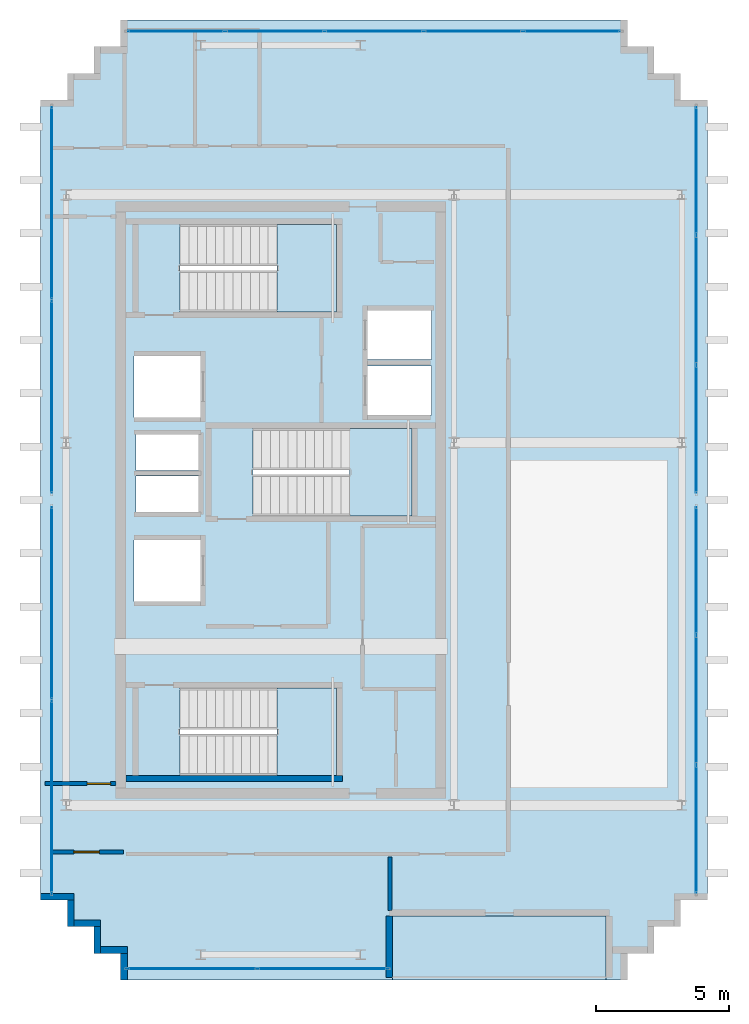
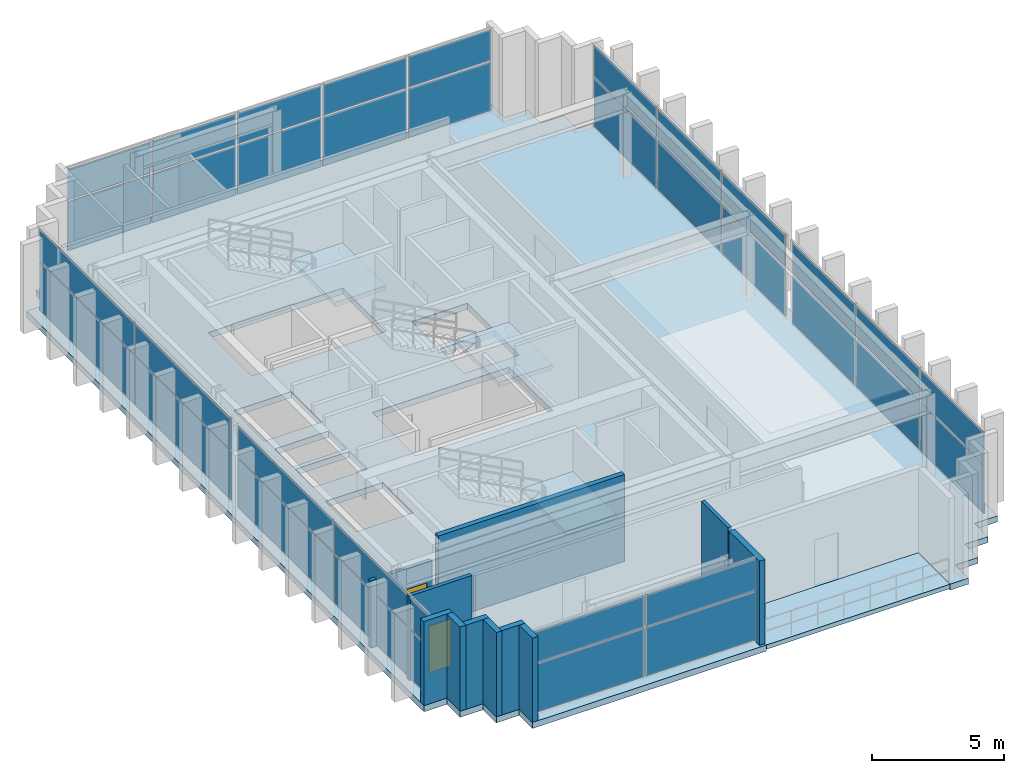
# One storey, part 10 of 15: 34 plates, 11 walls, 5 slabs, 2 doors, 2 openings, 9 elements without a shape of their own.
"""IFC4 building model written with IfcOpenShell, lengths in metres."""

from ifc_helpers import new_model, si_unit, direction, frame, frame_2d, origin, origin_2d, place, context, subcontext, project, spatial, polyline, rectangle, outline, extrude, source, transform, mapped, material, layer, layer_set, type_object, element, fill, aggregate, save


model = new_model("IFC4")

# Units and contexts
model_context = context("Model", 3, precision=1e-05, world=origin(), true_north=direction((0.0, 1.0)))
body_context = subcontext(model_context, "Body", "Model", "MODEL_VIEW")
ifc_project = project(units=[si_unit("LENGTHUNIT", "METRE"), si_unit("AREAUNIT", "SQUARE_METRE"), si_unit("VOLUMEUNIT", "CUBIC_METRE"), si_unit("PLANEANGLEUNIT", "RADIAN"), si_unit("MASSUNIT", "GRAM", prefix="KILO")], contexts=[model_context])

# Site, building, storey
site_placement = place(None, origin())
site = spatial("IfcSite", under=ifc_project, at=site_placement, CompositionType="ELEMENT")
building_placement = place(site_placement, origin())
building = spatial("IfcBuilding", under=site, at=building_placement, Name="Ocotamira Hotel", CompositionType="ELEMENT")
storey_placement = place(building_placement, frame((0.0, 0.0, 305.39990234375)))
storey = spatial("IfcBuildingStorey", under=building, at=storey_placement, Name="L78", CompositionType="ELEMENT", Elevation=305.39990234375)

# Slab
ifc_material_1 = material(Name="Concrete C40/50", Category="concrete")
ifc_layer_1 = layer(ifc_material_1, 0.199951171875)
ifc_layer_set_1 = layer_set([ifc_layer_1], Name="Concrete C40/50")
slab_type_1 = type_object("IfcSlabType", Name="SLB-BAL-200", PredefinedType="FLOOR", material=ifc_layer_set_1)
slab_1_placement = place(storey_placement, frame((0.0, 0.0, -0.199951171875)))
element("IfcSlab", 1, at=slab_1_placement, inside=storey, type_object=slab_type_1, Name="L78 Outdoor Sky Terrace Slab 1", PredefinedType="FLOOR", context=body_context, shape_type="SweptSolid", body=[
    extrude(outline(polyline([(21.199951171875, 8.0), (29.199951171875, 8.0), (29.199951171875, 10.39990234375), (21.199951171875, 10.39990234375), (21.199951171875, 8.0)])), origin(), (0.0, 0.0, 1.0), 0.199951171875),
])

# Stair, slab
stair_type = type_object("IfcStairType", Name="ST-CORE-1560", PredefinedType="HALF_TURN_STAIR", material=ifc_material_1)
stair_1_placement = place(storey_placement, origin())
stair_1 = element("IfcStair", 2, at=stair_1_placement, inside=storey, type_object=stair_type, Name="L78 Exit Stair ST-1", PredefinedType="HALF_TURN_STAIR")
ifc_layer_2 = layer(ifc_material_1, 0.199951171875)
ifc_layer_set_2 = layer_set([ifc_layer_2], Name="Concrete C40/50")
slab_type_2 = type_object("IfcSlabType", Name="SLB-LAND-200", PredefinedType="LANDING", material=ifc_layer_set_2)
slab_2_placement = place(storey_placement, frame((0.0, 0.0, 1.900146484375)))
slab_2 = element("IfcSlab", 3, at=slab_2_placement, type_object=slab_type_2, Name="ST-1 landing 1", PredefinedType="LANDING", context=body_context, shape_type="SweptSolid", body=[
    extrude(outline(polyline([(16.860107421875, 15.669921875), (19.090087890625, 15.669921875), (19.090087890625, 18.949951171875), (16.860107421875, 18.949951171875), (16.860107421875, 15.669921875)])), origin(), (0.0, 0.0, 1.0), 0.199951171875),
])
aggregate(stair_1, [slab_2])

stair_2_placement = place(storey_placement, origin())
stair_2 = element("IfcStair", 4, at=stair_2_placement, inside=storey, type_object=stair_type, Name="L78 Exit Stair ST-2", PredefinedType="HALF_TURN_STAIR")
slab_3_placement = place(storey_placement, frame((0.0, 0.0, 1.900146484375)))
slab_3 = element("IfcSlab", 5, at=slab_3_placement, type_object=slab_type_2, Name="ST-2 landing 1", PredefinedType="LANDING", context=body_context, shape_type="SweptSolid", body=[
    extrude(outline(polyline([(16.860107421875, 33.050048828125), (19.090087890625, 33.050048828125), (19.090087890625, 36.330078125), (16.860107421875, 36.330078125), (16.860107421875, 33.050048828125)])), origin(), (0.0, 0.0, 1.0), 0.199951171875),
])
aggregate(stair_2, [slab_3])

stair_3_placement = place(storey_placement, origin())
stair_3 = element("IfcStair", 6, at=stair_3_placement, inside=storey, type_object=stair_type, Name="L78 Exit Stair ST-3", PredefinedType="HALF_TURN_STAIR")
slab_4_placement = place(storey_placement, frame((0.0, 0.0, 1.900146484375)))
slab_4 = element("IfcSlab", 7, at=slab_4_placement, type_object=slab_type_2, Name="ST-3 landing 1", PredefinedType="LANDING", context=body_context, shape_type="SweptSolid", body=[
    extrude(outline(polyline([(19.590087890625, 25.39990234375), (21.919921875, 25.39990234375), (21.919921875, 28.679931640625), (19.590087890625, 28.679931640625), (19.590087890625, 25.39990234375)])), origin(), (0.0, 0.0, 1.0), 0.199951171875),
])
aggregate(stair_3, [slab_4])

# Slab
ifc_layer_3 = layer(ifc_material_1, 0.280029296875)
ifc_layer_set_3 = layer_set([ifc_layer_3], Name="Concrete C40/50")
slab_type_3 = type_object("IfcSlabType", Name="SLB-SKY-280", PredefinedType="FLOOR", material=ifc_layer_set_3)
slab_5_placement = place(storey_placement, frame((0.0, 0.0, -0.27978515625)))
element("IfcSlab", 8, at=slab_5_placement, inside=storey, type_object=slab_type_3, Name="L78 Structural Floor Slab", PredefinedType="FLOOR", context=body_context, shape_type="SweptSolid", body=[
    extrude(outline(polyline([(11.0, 8.0), (11.0, 9.0), (10.0, 9.0), (10.0, 10.0), (9.0, 10.0), (9.0, 11.0), (8.0, 11.0), (8.0, 41.0), (9.0, 41.0), (9.0, 42.0), (10.0, 42.0), (10.0, 43.0), (11.0, 43.0), (11.0, 44.0), (30.0, 44.0), (30.0, 43.0), (31.0, 43.0), (31.0, 42.0), (32.0, 42.0), (32.0, 41.0), (33.0, 41.0), (33.0, 11.0), (32.0, 11.0), (32.0, 10.0), (31.0, 10.0), (31.0, 9.0), (30.0, 9.0), (30.0, 8.0), (29.199951171875, 8.0), (29.199951171875, 10.39990234375), (21.199951171875, 10.39990234375), (21.199951171875, 8.0), (11.0, 8.0)]), holes=[polyline([(13.22998046875, 15.669921875), (19.090087890625, 15.669921875), (19.090087890625, 18.949951171875), (13.22998046875, 18.949951171875), (13.22998046875, 15.669921875)]), polyline([(13.22998046875, 33.050048828125), (19.090087890625, 33.050048828125), (19.090087890625, 36.330078125), (13.22998046875, 36.330078125), (13.22998046875, 33.050048828125)]), polyline([(15.9599609375, 25.39990234375), (21.919921875, 25.39990234375), (21.919921875, 28.679931640625), (15.9599609375, 28.679931640625), (15.9599609375, 25.39990234375)]), polyline([(20.25, 29.179931640625), (22.659912109375, 29.179931640625), (22.659912109375, 31.030029296875), (20.25, 31.030029296875), (20.25, 29.179931640625)]), polyline([(20.25, 31.260009765625), (22.659912109375, 31.260009765625), (22.659912109375, 33.110107421875), (20.25, 33.110107421875), (20.25, 31.260009765625)]), polyline([(11.5, 22.199951171875), (14.0, 22.199951171875), (14.0, 24.5), (11.5, 24.5), (11.5, 22.199951171875)]), polyline([(11.5, 29.10009765625), (14.0, 29.10009765625), (14.0, 31.39990234375), (11.5, 31.39990234375), (11.5, 29.10009765625)]), polyline([(11.580078125, 25.550048828125), (13.919921875, 25.550048828125), (13.919921875, 26.89990234375), (11.580078125, 26.89990234375), (11.580078125, 25.550048828125)]), polyline([(11.580078125, 27.10009765625), (13.919921875, 27.10009765625), (13.919921875, 28.449951171875), (11.580078125, 28.449951171875), (11.580078125, 27.10009765625)])]), origin(), (0.0, 0.0, 1.0), 0.27978515625),
])

# Curtain wall, plates
ifc_material_2 = material(Name="Anodised pale-metal aluminium and solar glass", Category="aluminium")
ifc_layer_4 = layer(ifc_material_2, 0.2099609375)
ifc_layer_set_4 = layer_set([ifc_layer_4], Name="Anodised pale-metal aluminium and solar glass")
curtain_wall_type = type_object("IfcCurtainWallType", Name="CW-SYS7-PEAK", PredefinedType="NOTDEFINED", material=ifc_layer_set_4)
curtain_wall_1_placement = place(storey_placement, origin())
curtain_wall_1 = element("IfcCurtainWall", 9, at=curtain_wall_1_placement, inside=storey, type_object=curtain_wall_type, Name="L78 Curtain Wall CW-7 CW-L78-W1", PredefinedType="NOTDEFINED")
ifc_material_3 = material(Name="Double-silver low-E insulated solar glass", Category="glass")
ifc_layer_5 = layer(ifc_material_3, 0.031982421875)
ifc_layer_set_5 = layer_set([ifc_layer_5], Name="Double-silver low-E insulated solar glass")
plate_type = type_object("IfcPlateType", Name="CWP-VISION-32", PredefinedType="CURTAIN_PANEL", material=ifc_layer_set_5)
shared_shape_1 = source(origin(), body_context, "Body", "SweptSolid", [
    extrude(rectangle(XDim=7.179931640625, YDim=0.031982421875, at=origin_2d()), origin(), (0.0, 0.0, 1.0), 2.237548828125),
])
plate_1_placement = place(storey_placement, frame((8.419921875, 14.8701171875, 0.0751953125), z_axis=(0.0, 0.0, 1.0), x_axis=(0.0, 1.0, 0.0)))
plate_1 = element("IfcPlate", 10, at=plate_1_placement, type_object=plate_type, Name="CW-7 panel 1.1", PredefinedType="CURTAIN_PANEL", context=body_context, shape_type="MappedRepresentation", body=[
    mapped(shared_shape_1, transform((0.0, 0.0, 0.0), scale=1.0)),
])
plate_2_placement = place(storey_placement, frame((8.419921875, 22.1298828125, 0.0751953125), z_axis=(0.0, 0.0, 1.0), x_axis=(0.0, 1.0, 0.0)))
plate_2 = element("IfcPlate", 11, at=plate_2_placement, type_object=plate_type, Name="CW-7 panel 2.1", PredefinedType="CURTAIN_PANEL", context=body_context, shape_type="MappedRepresentation", body=[
    mapped(shared_shape_1, transform((0.0, 0.0, 0.0), scale=1.0)),
])

curtain_wall_2_placement = place(storey_placement, origin())
curtain_wall_2 = element("IfcCurtainWall", 12, at=curtain_wall_2_placement, inside=storey, type_object=curtain_wall_type, Name="L78 Curtain Wall CW-7 CW-L78-W2", PredefinedType="NOTDEFINED")
plate_3_placement = place(storey_placement, frame((8.419921875, 29.8701171875, 0.0751953125), z_axis=(0.0, 0.0, 1.0), x_axis=(0.0, 1.0, 0.0)))
plate_3 = element("IfcPlate", 13, at=plate_3_placement, type_object=plate_type, Name="CW-7 panel 1.1", PredefinedType="CURTAIN_PANEL", context=body_context, shape_type="MappedRepresentation", body=[
    mapped(shared_shape_1, transform((0.0, 0.0, 0.0), scale=1.0)),
])
plate_4_placement = place(storey_placement, frame((8.419921875, 37.1298828125, 0.0751953125), z_axis=(0.0, 0.0, 1.0), x_axis=(0.0, 1.0, 0.0)))
plate_4 = element("IfcPlate", 14, at=plate_4_placement, type_object=plate_type, Name="CW-7 panel 2.1", PredefinedType="CURTAIN_PANEL", context=body_context, shape_type="MappedRepresentation", body=[
    mapped(shared_shape_1, transform((0.0, 0.0, 0.0), scale=1.0)),
])

curtain_wall_3_placement = place(storey_placement, origin())
curtain_wall_3 = element("IfcCurtainWall", 15, at=curtain_wall_3_placement, inside=storey, type_object=curtain_wall_type, Name="L78 Curtain Wall CW-7 CW-L78-N", PredefinedType="NOTDEFINED")
shared_shape_2 = source(origin(), body_context, "Body", "SweptSolid", [
    extrude(rectangle(XDim=3.60009765625, YDim=0.031982421875, at=origin_2d()), origin(), (0.0, 0.0, 1.0), 2.237548828125),
])
plate_5_placement = place(storey_placement, frame((13.080078125, 43.580078125, 0.0751953125), z_axis=(0.0, 0.0, 1.0), x_axis=(1.0, 0.0, 0.0)))
plate_5 = element("IfcPlate", 16, at=plate_5_placement, type_object=plate_type, Name="CW-7 panel 1.1", PredefinedType="CURTAIN_PANEL", context=body_context, shape_type="MappedRepresentation", body=[
    mapped(shared_shape_2, transform((0.0, 0.0, 0.0), scale=1.0)),
])
plate_6_placement = place(storey_placement, frame((27.919921875, 43.580078125, 0.0751953125), z_axis=(0.0, 0.0, 1.0), x_axis=(1.0, 0.0, 0.0)))
plate_6 = element("IfcPlate", 17, at=plate_6_placement, type_object=plate_type, Name="CW-7 panel 5.1", PredefinedType="CURTAIN_PANEL", context=body_context, shape_type="MappedRepresentation", body=[
    mapped(shared_shape_2, transform((0.0, 0.0, 0.0), scale=1.0)),
])
shared_shape_3 = source(origin(), body_context, "Body", "SweptSolid", [
    extrude(rectangle(XDim=3.639892578125, YDim=0.031982421875, at=origin_2d()), origin(), (0.0, 0.0, 1.0), 2.237548828125),
])
plate_7_placement = place(storey_placement, frame((16.780029296875, 43.580078125, 0.0751953125), z_axis=(0.0, 0.0, 1.0), x_axis=(1.0, 0.0, 0.0)))
plate_7 = element("IfcPlate", 18, at=plate_7_placement, type_object=plate_type, Name="CW-7 panel 2.1", PredefinedType="CURTAIN_PANEL", context=body_context, shape_type="MappedRepresentation", body=[
    mapped(shared_shape_3, transform((0.0, 0.0, 0.0), scale=1.0)),
])
plate_8_placement = place(storey_placement, frame((20.5, 43.580078125, 0.0751953125), z_axis=(0.0, 0.0, 1.0), x_axis=(1.0, 0.0, 0.0)))
plate_8 = element("IfcPlate", 19, at=plate_8_placement, type_object=plate_type, Name="CW-7 panel 3.1", PredefinedType="CURTAIN_PANEL", context=body_context, shape_type="MappedRepresentation", body=[
    mapped(shared_shape_3, transform((0.0, 0.0, 0.0), scale=1.0)),
])
plate_9_placement = place(storey_placement, frame((24.219970703125, 43.580078125, 0.0751953125), z_axis=(0.0, 0.0, 1.0), x_axis=(1.0, 0.0, 0.0)))
plate_9 = element("IfcPlate", 20, at=plate_9_placement, type_object=plate_type, Name="CW-7 panel 4.1", PredefinedType="CURTAIN_PANEL", context=body_context, shape_type="MappedRepresentation", body=[
    mapped(shared_shape_3, transform((0.0, 0.0, 0.0), scale=1.0)),
])

curtain_wall_4_placement = place(storey_placement, origin())
curtain_wall_4 = element("IfcCurtainWall", 21, at=curtain_wall_4_placement, inside=storey, type_object=curtain_wall_type, Name="L78 Curtain Wall CW-7 CW-L78-E1", PredefinedType="NOTDEFINED")
shared_shape_4 = source(origin(), body_context, "Body", "SweptSolid", [
    extrude(rectangle(XDim=4.74658203125, YDim=0.031982421875, at=origin_2d()), origin(), (0.0, 0.0, 1.0), 2.237548828125),
])
plate_10_placement = place(storey_placement, frame((32.580078125, 13.6533203125, 0.0751953125), z_axis=(0.0, 0.0, 1.0), x_axis=(0.0, 1.0, 0.0)))
plate_10 = element("IfcPlate", 22, at=plate_10_placement, type_object=plate_type, Name="CW-7 panel 1.1", PredefinedType="CURTAIN_PANEL", context=body_context, shape_type="MappedRepresentation", body=[
    mapped(shared_shape_4, transform((0.0, 0.0, 0.0), scale=1.0)),
])
plate_11_placement = place(storey_placement, frame((32.580078125, 23.3466796875, 0.0751953125), z_axis=(0.0, 0.0, 1.0), x_axis=(0.0, 1.0, 0.0)))
plate_11 = element("IfcPlate", 23, at=plate_11_placement, type_object=plate_type, Name="CW-7 panel 3.1", PredefinedType="CURTAIN_PANEL", context=body_context, shape_type="MappedRepresentation", body=[
    mapped(shared_shape_4, transform((0.0, 0.0, 0.0), scale=1.0)),
])

curtain_wall_5_placement = place(storey_placement, origin())
curtain_wall_5 = element("IfcCurtainWall", 24, at=curtain_wall_5_placement, inside=storey, type_object=curtain_wall_type, Name="L78 Curtain Wall CW-7 CW-L78-E2", PredefinedType="NOTDEFINED")
plate_12_placement = place(storey_placement, frame((32.580078125, 28.6533203125, 0.0751953125), z_axis=(0.0, 0.0, 1.0), x_axis=(0.0, 1.0, 0.0)))
plate_12 = element("IfcPlate", 25, at=plate_12_placement, type_object=plate_type, Name="CW-7 panel 1.1", PredefinedType="CURTAIN_PANEL", context=body_context, shape_type="MappedRepresentation", body=[
    mapped(shared_shape_4, transform((0.0, 0.0, 0.0), scale=1.0)),
])
plate_13_placement = place(storey_placement, frame((32.580078125, 38.3466796875, 0.0751953125), z_axis=(0.0, 0.0, 1.0), x_axis=(0.0, 1.0, 0.0)))
plate_13 = element("IfcPlate", 26, at=plate_13_placement, type_object=plate_type, Name="CW-7 panel 3.1", PredefinedType="CURTAIN_PANEL", context=body_context, shape_type="MappedRepresentation", body=[
    mapped(shared_shape_4, transform((0.0, 0.0, 0.0), scale=1.0)),
])

# Plate
shared_shape_5 = source(origin(), body_context, "Body", "SweptSolid", [
    extrude(rectangle(XDim=4.78662109375, YDim=0.031982421875, at=origin_2d()), origin(), (0.0, 0.0, 1.0), 2.237548828125),
])
plate_14_placement = place(storey_placement, frame((32.580078125, 18.5, 0.0751953125), z_axis=(0.0, 0.0, 1.0), x_axis=(0.0, 1.0, 0.0)))
plate_14 = element("IfcPlate", 27, at=plate_14_placement, type_object=plate_type, Name="CW-7 panel 2.1", PredefinedType="CURTAIN_PANEL", context=body_context, shape_type="MappedRepresentation", body=[
    mapped(shared_shape_5, transform((0.0, 0.0, 0.0), scale=1.0)),
])

plate_15_placement = place(storey_placement, frame((32.580078125, 33.5, 0.0751953125), z_axis=(0.0, 0.0, 1.0), x_axis=(0.0, 1.0, 0.0)))
plate_15 = element("IfcPlate", 28, at=plate_15_placement, type_object=plate_type, Name="CW-7 panel 2.1", PredefinedType="CURTAIN_PANEL", context=body_context, shape_type="MappedRepresentation", body=[
    mapped(shared_shape_5, transform((0.0, 0.0, 0.0), scale=1.0)),
])

# Curtain wall, plates
curtain_wall_6_placement = place(storey_placement, origin())
curtain_wall_6 = element("IfcCurtainWall", 29, at=curtain_wall_6_placement, inside=storey, type_object=curtain_wall_type, Name="L78 Curtain Wall CW-7 CW-L78-S1", PredefinedType="NOTDEFINED")
shared_shape_6 = source(origin(), body_context, "Body", "SweptSolid", [
    extrude(rectangle(XDim=4.804931640625, YDim=0.031982421875, at=origin_2d()), origin(), (0.0, 0.0, 1.0), 2.237548828125),
])
plate_16_placement = place(storey_placement, frame((13.6826171875, 8.419921875, 0.0751953125), z_axis=(0.0, 0.0, 1.0), x_axis=(1.0, 0.0, 0.0)))
plate_16 = element("IfcPlate", 30, at=plate_16_placement, type_object=plate_type, Name="CW-7 panel 1.1", PredefinedType="CURTAIN_PANEL", context=body_context, shape_type="MappedRepresentation", body=[
    mapped(shared_shape_6, transform((0.0, 0.0, 0.0), scale=1.0)),
])
plate_17_placement = place(storey_placement, frame((18.5673828125, 8.419921875, 0.0751953125), z_axis=(0.0, 0.0, 1.0), x_axis=(1.0, 0.0, 0.0)))
plate_17 = element("IfcPlate", 31, at=plate_17_placement, type_object=plate_type, Name="CW-7 panel 2.1", PredefinedType="CURTAIN_PANEL", context=body_context, shape_type="MappedRepresentation", body=[
    mapped(shared_shape_6, transform((0.0, 0.0, 0.0), scale=1.0)),
])
shared_shape_7 = source(origin(), body_context, "Body", "SweptSolid", [
    extrude(rectangle(XDim=4.804931640625, YDim=0.031982421875, at=origin_2d()), origin(), (0.0, 0.0, 1.0), 1.41748046875),
])
plate_18_placement = place(storey_placement, frame((13.6826171875, 8.419921875, 2.3876953125), z_axis=(0.0, 0.0, 1.0), x_axis=(1.0, 0.0, 0.0)))
plate_18 = element("IfcPlate", 32, at=plate_18_placement, type_object=plate_type, Name="CW-7 panel 1.2", PredefinedType="CURTAIN_PANEL", context=body_context, shape_type="MappedRepresentation", body=[
    mapped(shared_shape_7, transform((0.0, 0.0, 0.0), scale=1.0)),
])
plate_19_placement = place(storey_placement, frame((18.5673828125, 8.419921875, 2.3876953125), z_axis=(0.0, 0.0, 1.0), x_axis=(1.0, 0.0, 0.0)))
plate_19 = element("IfcPlate", 33, at=plate_19_placement, type_object=plate_type, Name="CW-7 panel 2.2", PredefinedType="CURTAIN_PANEL", context=body_context, shape_type="MappedRepresentation", body=[
    mapped(shared_shape_7, transform((0.0, 0.0, 0.0), scale=1.0)),
])
aggregate(curtain_wall_6, [plate_16, plate_18, plate_17, plate_19])

# Plate
shared_shape_8 = source(origin(), body_context, "Body", "SweptSolid", [
    extrude(rectangle(XDim=3.60009765625, YDim=0.031982421875, at=origin_2d()), origin(), (0.0, 0.0, 1.0), 1.41748046875),
])
plate_20_placement = place(storey_placement, frame((13.080078125, 43.580078125, 2.3876953125), z_axis=(0.0, 0.0, 1.0), x_axis=(1.0, 0.0, 0.0)))
plate_20 = element("IfcPlate", 34, at=plate_20_placement, type_object=plate_type, Name="CW-7 panel 1.2", PredefinedType="CURTAIN_PANEL", context=body_context, shape_type="MappedRepresentation", body=[
    mapped(shared_shape_8, transform((0.0, 0.0, 0.0), scale=1.0)),
])

plate_21_placement = place(storey_placement, frame((27.919921875, 43.580078125, 2.3876953125), z_axis=(0.0, 0.0, 1.0), x_axis=(1.0, 0.0, 0.0)))
plate_21 = element("IfcPlate", 35, at=plate_21_placement, type_object=plate_type, Name="CW-7 panel 5.2", PredefinedType="CURTAIN_PANEL", context=body_context, shape_type="MappedRepresentation", body=[
    mapped(shared_shape_8, transform((0.0, 0.0, 0.0), scale=1.0)),
])

shared_shape_9 = source(origin(), body_context, "Body", "SweptSolid", [
    extrude(rectangle(XDim=3.639892578125, YDim=0.031982421875, at=origin_2d()), origin(), (0.0, 0.0, 1.0), 1.41748046875),
])
plate_22_placement = place(storey_placement, frame((16.780029296875, 43.580078125, 2.3876953125), z_axis=(0.0, 0.0, 1.0), x_axis=(1.0, 0.0, 0.0)))
plate_22 = element("IfcPlate", 36, at=plate_22_placement, type_object=plate_type, Name="CW-7 panel 2.2", PredefinedType="CURTAIN_PANEL", context=body_context, shape_type="MappedRepresentation", body=[
    mapped(shared_shape_9, transform((0.0, 0.0, 0.0), scale=1.0)),
])

plate_23_placement = place(storey_placement, frame((20.5, 43.580078125, 2.3876953125), z_axis=(0.0, 0.0, 1.0), x_axis=(1.0, 0.0, 0.0)))
plate_23 = element("IfcPlate", 37, at=plate_23_placement, type_object=plate_type, Name="CW-7 panel 3.2", PredefinedType="CURTAIN_PANEL", context=body_context, shape_type="MappedRepresentation", body=[
    mapped(shared_shape_9, transform((0.0, 0.0, 0.0), scale=1.0)),
])

plate_24_placement = place(storey_placement, frame((24.219970703125, 43.580078125, 2.3876953125), z_axis=(0.0, 0.0, 1.0), x_axis=(1.0, 0.0, 0.0)))
plate_24 = element("IfcPlate", 38, at=plate_24_placement, type_object=plate_type, Name="CW-7 panel 4.2", PredefinedType="CURTAIN_PANEL", context=body_context, shape_type="MappedRepresentation", body=[
    mapped(shared_shape_9, transform((0.0, 0.0, 0.0), scale=1.0)),
])

aggregate(curtain_wall_3, [plate_5, plate_20, plate_7, plate_22, plate_8, plate_23, plate_9, plate_24, plate_6, plate_21])

shared_shape_10 = source(origin(), body_context, "Body", "SweptSolid", [
    extrude(rectangle(XDim=7.179931640625, YDim=0.031982421875, at=origin_2d()), origin(), (0.0, 0.0, 1.0), 1.41748046875),
])
plate_25_placement = place(storey_placement, frame((8.419921875, 14.8701171875, 2.3876953125), z_axis=(0.0, 0.0, 1.0), x_axis=(0.0, 1.0, 0.0)))
plate_25 = element("IfcPlate", 39, at=plate_25_placement, type_object=plate_type, Name="CW-7 panel 1.2", PredefinedType="CURTAIN_PANEL", context=body_context, shape_type="MappedRepresentation", body=[
    mapped(shared_shape_10, transform((0.0, 0.0, 0.0), scale=1.0)),
])

plate_26_placement = place(storey_placement, frame((8.419921875, 22.1298828125, 2.3876953125), z_axis=(0.0, 0.0, 1.0), x_axis=(0.0, 1.0, 0.0)))
plate_26 = element("IfcPlate", 40, at=plate_26_placement, type_object=plate_type, Name="CW-7 panel 2.2", PredefinedType="CURTAIN_PANEL", context=body_context, shape_type="MappedRepresentation", body=[
    mapped(shared_shape_10, transform((0.0, 0.0, 0.0), scale=1.0)),
])

aggregate(curtain_wall_1, [plate_1, plate_25, plate_2, plate_26])

plate_27_placement = place(storey_placement, frame((8.419921875, 29.8701171875, 2.3876953125), z_axis=(0.0, 0.0, 1.0), x_axis=(0.0, 1.0, 0.0)))
plate_27 = element("IfcPlate", 41, at=plate_27_placement, type_object=plate_type, Name="CW-7 panel 1.2", PredefinedType="CURTAIN_PANEL", context=body_context, shape_type="MappedRepresentation", body=[
    mapped(shared_shape_10, transform((0.0, 0.0, 0.0), scale=1.0)),
])

plate_28_placement = place(storey_placement, frame((8.419921875, 37.1298828125, 2.3876953125), z_axis=(0.0, 0.0, 1.0), x_axis=(0.0, 1.0, 0.0)))
plate_28 = element("IfcPlate", 42, at=plate_28_placement, type_object=plate_type, Name="CW-7 panel 2.2", PredefinedType="CURTAIN_PANEL", context=body_context, shape_type="MappedRepresentation", body=[
    mapped(shared_shape_10, transform((0.0, 0.0, 0.0), scale=1.0)),
])

aggregate(curtain_wall_2, [plate_3, plate_27, plate_4, plate_28])

shared_shape_11 = source(origin(), body_context, "Body", "SweptSolid", [
    extrude(rectangle(XDim=4.74658203125, YDim=0.031982421875, at=origin_2d()), origin(), (0.0, 0.0, 1.0), 1.41748046875),
])
plate_29_placement = place(storey_placement, frame((32.580078125, 13.6533203125, 2.3876953125), z_axis=(0.0, 0.0, 1.0), x_axis=(0.0, 1.0, 0.0)))
plate_29 = element("IfcPlate", 43, at=plate_29_placement, type_object=plate_type, Name="CW-7 panel 1.2", PredefinedType="CURTAIN_PANEL", context=body_context, shape_type="MappedRepresentation", body=[
    mapped(shared_shape_11, transform((0.0, 0.0, 0.0), scale=1.0)),
])

plate_30_placement = place(storey_placement, frame((32.580078125, 23.3466796875, 2.3876953125), z_axis=(0.0, 0.0, 1.0), x_axis=(0.0, 1.0, 0.0)))
plate_30 = element("IfcPlate", 44, at=plate_30_placement, type_object=plate_type, Name="CW-7 panel 3.2", PredefinedType="CURTAIN_PANEL", context=body_context, shape_type="MappedRepresentation", body=[
    mapped(shared_shape_11, transform((0.0, 0.0, 0.0), scale=1.0)),
])

plate_31_placement = place(storey_placement, frame((32.580078125, 28.6533203125, 2.3876953125), z_axis=(0.0, 0.0, 1.0), x_axis=(0.0, 1.0, 0.0)))
plate_31 = element("IfcPlate", 45, at=plate_31_placement, type_object=plate_type, Name="CW-7 panel 1.2", PredefinedType="CURTAIN_PANEL", context=body_context, shape_type="MappedRepresentation", body=[
    mapped(shared_shape_11, transform((0.0, 0.0, 0.0), scale=1.0)),
])

plate_32_placement = place(storey_placement, frame((32.580078125, 38.3466796875, 2.3876953125), z_axis=(0.0, 0.0, 1.0), x_axis=(0.0, 1.0, 0.0)))
plate_32 = element("IfcPlate", 46, at=plate_32_placement, type_object=plate_type, Name="CW-7 panel 3.2", PredefinedType="CURTAIN_PANEL", context=body_context, shape_type="MappedRepresentation", body=[
    mapped(shared_shape_11, transform((0.0, 0.0, 0.0), scale=1.0)),
])

shared_shape_12 = source(origin(), body_context, "Body", "SweptSolid", [
    extrude(rectangle(XDim=4.78662109375, YDim=0.031982421875, at=origin_2d()), origin(), (0.0, 0.0, 1.0), 1.41748046875),
])
plate_33_placement = place(storey_placement, frame((32.580078125, 18.5, 2.3876953125), z_axis=(0.0, 0.0, 1.0), x_axis=(0.0, 1.0, 0.0)))
plate_33 = element("IfcPlate", 47, at=plate_33_placement, type_object=plate_type, Name="CW-7 panel 2.2", PredefinedType="CURTAIN_PANEL", context=body_context, shape_type="MappedRepresentation", body=[
    mapped(shared_shape_12, transform((0.0, 0.0, 0.0), scale=1.0)),
])

aggregate(curtain_wall_4, [plate_10, plate_29, plate_14, plate_33, plate_11, plate_30])

plate_34_placement = place(storey_placement, frame((32.580078125, 33.5, 2.3876953125), z_axis=(0.0, 0.0, 1.0), x_axis=(0.0, 1.0, 0.0)))
plate_34 = element("IfcPlate", 48, at=plate_34_placement, type_object=plate_type, Name="CW-7 panel 2.2", PredefinedType="CURTAIN_PANEL", context=body_context, shape_type="MappedRepresentation", body=[
    mapped(shared_shape_12, transform((0.0, 0.0, 0.0), scale=1.0)),
])

aggregate(curtain_wall_5, [plate_12, plate_31, plate_15, plate_34, plate_13, plate_32])

# Walls
ifc_material_4 = material(Name="Precast concrete C45/55", Category="concrete")
ifc_layer_6 = layer(ifc_material_4, 0.25)
ifc_layer_set_6 = layer_set([ifc_layer_6], Name="Precast concrete C45/55")
wall_type_1 = type_object("IfcWallType", Name="WL-EXT-SER-250", PredefinedType="SOLIDWALL", material=ifc_layer_set_6)
wall_1_placement = place(storey_placement, frame((8.0, 11.125, 0.0), z_axis=(0.0, 0.0, 1.0), x_axis=(1.0, 0.0, 0.0)))
element("IfcWall", 49, at=wall_1_placement, inside=storey, type_object=wall_type_1, Name="L78 Serrated Corner Wall 19", PredefinedType="SOLIDWALL", context=body_context, shape_type="SweptSolid", body=[
    extrude(rectangle(XDim=1.25, YDim=0.25, at=frame_2d((0.625, 0.0))), origin(), (0.0, 0.0, 1.0), 3.880126953125),
])
for number, where, z_axis, x_axis, name in (
    (50, (9.125, 11.0, 0.0), (0.0, 0.0, 1.0), (0.0, -1.0, 0.0), "L78 Serrated Corner Wall 20"),
    (51, (9.25, 10.125, 0.0), (0.0, 0.0, 1.0), (1.0, 0.0, 0.0), "L78 Serrated Corner Wall 21"),
    (52, (10.125, 10.0, 0.0), (0.0, 0.0, 1.0), (0.0, -1.0, 0.0), "L78 Serrated Corner Wall 22"),
    (53, (10.25, 9.125, 0.0), (0.0, 0.0, 1.0), (1.0, 0.0, 0.0), "L78 Serrated Corner Wall 23"),
    (54, (11.125, 9.0, 0.0), (0.0, 0.0, 1.0), (0.0, -1.0, 0.0), "L78 Serrated Corner Wall 24"),
):
    element("IfcWall", number, at=place(storey_placement, frame(where, z_axis=z_axis, x_axis=x_axis)), inside=storey, type_object=wall_type_1, Name=name, PredefinedType="SOLIDWALL", context=body_context, shape_type="SweptSolid", body=[
        extrude(rectangle(XDim=1.0, YDim=0.25, at=frame_2d((0.5, 0.0))), origin(), (0.0, 0.0, 1.0), 3.880126953125),
    ])
wall_2_placement = place(storey_placement, frame((21.074951171875, 8.10009765625, 0.0), z_axis=(0.0, 0.0, 1.0), x_axis=(0.0, 1.0, 0.0)))
element("IfcWall", 55, at=wall_2_placement, inside=storey, type_object=wall_type_1, Name="L78 Sky Terrace Return Wall 1L", PredefinedType="SOLIDWALL", context=body_context, shape_type="SweptSolid", body=[
    extrude(rectangle(XDim=2.2998046875, YDim=0.25, at=frame_2d((1.14990234375, 0.0))), origin(), (0.0, 0.0, 1.0), 3.880126953125),
])

# Wall, opening, door
ifc_material_5 = material(Name="Acoustic double-layer fire gypsum board partition", Category="gypsum")
ifc_layer_7 = layer(ifc_material_5, 0.159912109375)
ifc_layer_set_7 = layer_set([ifc_layer_7], Name="Acoustic double-layer fire gypsum board partition")
wall_type_2 = type_object("IfcWallType", Name="WL-FIRE-160", PredefinedType="PARTITIONING", material=ifc_layer_set_7)
wall_3_placement = place(storey_placement, frame((8.35009765625, 12.800048828125, 0.0), z_axis=(0.0, 0.0, 1.0), x_axis=(1.0, 0.0, 0.0)))
wall_3 = element("IfcWall", 56, at=wall_3_placement, inside=storey, type_object=wall_type_2, Name="L78 Interior Wall PW-L78-L78-OBCSW-CW", PredefinedType="PARTITIONING", context=body_context, shape_type="SweptSolid", body=[
    extrude(rectangle(XDim=2.75, YDim=0.159912109375, at=frame_2d((1.375, 0.0))), origin(), (0.0, 0.0, 1.0), 3.880126953125),
])
opening_1_placement = place(wall_3_placement, frame((0.89501953125, 0.0, 0.0)))
opening_1 = element("IfcOpeningElement", 57, at=opening_1_placement, cuts=wall_3, Name="Opening D-SV4", PredefinedType="OPENING", context=body_context, shape_type="SweptSolid", body=[
    extrude(rectangle(XDim=0.9599609375, YDim=2.14990234375, at=frame_2d((0.47998046875, 1.074951171875))), frame((0.0, 0.08984375, 0.0), z_axis=(0.0, -1.0, 0.0), x_axis=(1.0, 0.0, 0.0)), (0.0, 0.0, 1.0), 0.179931640625),
])
ifc_material_6 = material(Name="Fire-rated accessible walnut salon door", Category="wood")
door_type_1 = type_object("IfcDoorType", Name="DR-SERV-960", OperationType="NOTDEFINED", PredefinedType="DOOR", material=ifc_material_6)
shared_shape_13 = source(origin(), body_context, "Body", "SweptSolid", [
    extrude(rectangle(XDim=0.9599609375, YDim=2.14990234375, at=frame_2d((0.47998046875, 1.074951171875))), frame((0.0, 0.02490234375, 0.0), z_axis=(0.0, -1.0, 0.0), x_axis=(1.0, 0.0, 0.0)), (0.0, 0.0, 1.0), 0.050048828125),
])
door_1_placement = place(opening_1_placement, origin())
door_1 = element("IfcDoor", 58, at=door_1_placement, inside=storey, type_object=door_type_1, Name="L78 Door ID-L78-L78-OBCSW-CD [ID-L78-L78-OBCSW-CD]", OperationType="SINGLE_SWING_LEFT", OverallHeight=2.14990234375, OverallWidth=0.9599609375, PredefinedType="DOOR", context=body_context, shape_type="MappedRepresentation", body=[
    mapped(shared_shape_13, transform((0.0, 0.0, 0.0), scale=1.0)),
])
fill(opening_1, door_1)

# Wall
ifc_material_7 = material(Name="Acoustic hospitality gypsum board partition", Category="gypsum")
ifc_layer_8 = layer(ifc_material_7, 0.14208984375)
ifc_layer_set_8 = layer_set([ifc_layer_8], Name="Acoustic hospitality gypsum board partition")
wall_type_3 = type_object("IfcWallType", Name="WL-PART-142", PredefinedType="PARTITIONING", material=ifc_layer_set_8)
wall_4_placement = place(storey_placement, frame((21.10009765625, 10.60009765625, 0.0), z_axis=(0.0, 0.0, 1.0), x_axis=(0.0, 1.0, 0.0)))
element("IfcWall", 59, at=wall_4_placement, inside=storey, type_object=wall_type_3, Name="L78 Interior Wall PW-L78-L78-SDIV1", PredefinedType="PARTITIONING", context=body_context, shape_type="SweptSolid", body=[
    extrude(rectangle(XDim=2.02001953125, YDim=0.14208984375, at=frame_2d((1.010009765625, 0.0))), origin(), (0.0, 0.0, 1.0), 3.880126953125),
])

# Wall, opening, door
ifc_layer_9 = layer(ifc_material_7, 0.14990234375)
ifc_layer_set_9 = layer_set([ifc_layer_9], Name="Acoustic hospitality gypsum board partition")
wall_type_4 = type_object("IfcWallType", Name="WL-PART-150", PredefinedType="PARTITIONING", material=ifc_layer_set_9)
wall_5_placement = place(storey_placement, frame((8.159912109375, 15.360107421875, 0.0), z_axis=(0.0, 0.0, 1.0), x_axis=(1.0, 0.0, 0.0)))
wall_5 = element("IfcWall", 60, at=wall_5_placement, inside=storey, type_object=wall_type_4, Name="L78 Interior Wall PW-L78-L78W-WS", PredefinedType="PARTITIONING", context=body_context, shape_type="SweptSolid", body=[
    extrude(rectangle(XDim=2.66015625, YDim=0.14990234375, at=frame_2d((1.330078125, 0.0))), origin(), (0.0, 0.0, 1.0), 3.10107421875),
])
opening_2_placement = place(wall_5_placement, frame((1.580078125, 0.0, 0.0)))
opening_2 = element("IfcOpeningElement", 61, at=opening_2_placement, cuts=wall_5, Name="Opening D-SV2", PredefinedType="OPENING", context=body_context, shape_type="SweptSolid", body=[
    extrude(rectangle(XDim=0.8798828125, YDim=2.14990234375, at=frame_2d((0.43994140625, 1.074951171875))), frame((0.0, 0.0849609375, 0.0), z_axis=(0.0, -1.0, 0.0), x_axis=(1.0, 0.0, 0.0)), (0.0, 0.0, 1.0), 0.169921875),
])
ifc_material_8 = material(Name="Fire-rated painted steel service door", Category="steel")
door_type_2 = type_object("IfcDoorType", Name="DR-SERV-880", OperationType="NOTDEFINED", PredefinedType="DOOR", material=ifc_material_8)
shared_shape_14 = source(origin(), body_context, "Body", "SweptSolid", [
    extrude(rectangle(XDim=0.8798828125, YDim=2.14990234375, at=frame_2d((0.43994140625, 1.074951171875))), frame((0.0, 0.02490234375, 0.0), z_axis=(0.0, -1.0, 0.0), x_axis=(1.0, 0.0, 0.0)), (0.0, 0.0, 1.0), 0.050048828125),
])
door_2_placement = place(opening_2_placement, origin())
door_2 = element("IfcDoor", 62, at=door_2_placement, inside=storey, type_object=door_type_2, Name="L78 Door ID-L78-L78W-DS [ID-L78-L78W-DS]", OperationType="SINGLE_SWING_LEFT", OverallHeight=2.14990234375, OverallWidth=0.8798828125, PredefinedType="DOOR", context=body_context, shape_type="MappedRepresentation", body=[
    mapped(shared_shape_14, transform((0.0, 0.0, 0.0), scale=1.0)),
])
fill(opening_2, door_2)

# Wall
ifc_material_9 = material(Name="Concrete C50/60", Category="concrete")
ifc_layer_10 = layer(ifc_material_9, 0.219970703125)
ifc_layer_set_10 = layer_set([ifc_layer_10], Name="Concrete C50/60")
wall_type_5 = type_object("IfcWallType", Name="WL-STAIR-220", PredefinedType="SHEAR", material=ifc_layer_set_10)
wall_6_placement = place(storey_placement, frame((11.199951171875, 15.56005859375, 0.0), z_axis=(0.0, 0.0, 1.0), x_axis=(1.0, 0.0, 0.0)))
element("IfcWall", 63, at=wall_6_placement, inside=storey, type_object=wall_type_5, Name="L78 Stair Shaft Structural Wall ST-1-S", PredefinedType="SHEAR", context=body_context, shape_type="SweptSolid", body=[
    extrude(rectangle(XDim=8.110107421875, YDim=0.219970703125, at=frame_2d((4.05517578125, 0.0))), origin(), (0.0, 0.0, 1.0), 4.0),
])

save(model, "model.ifc")
